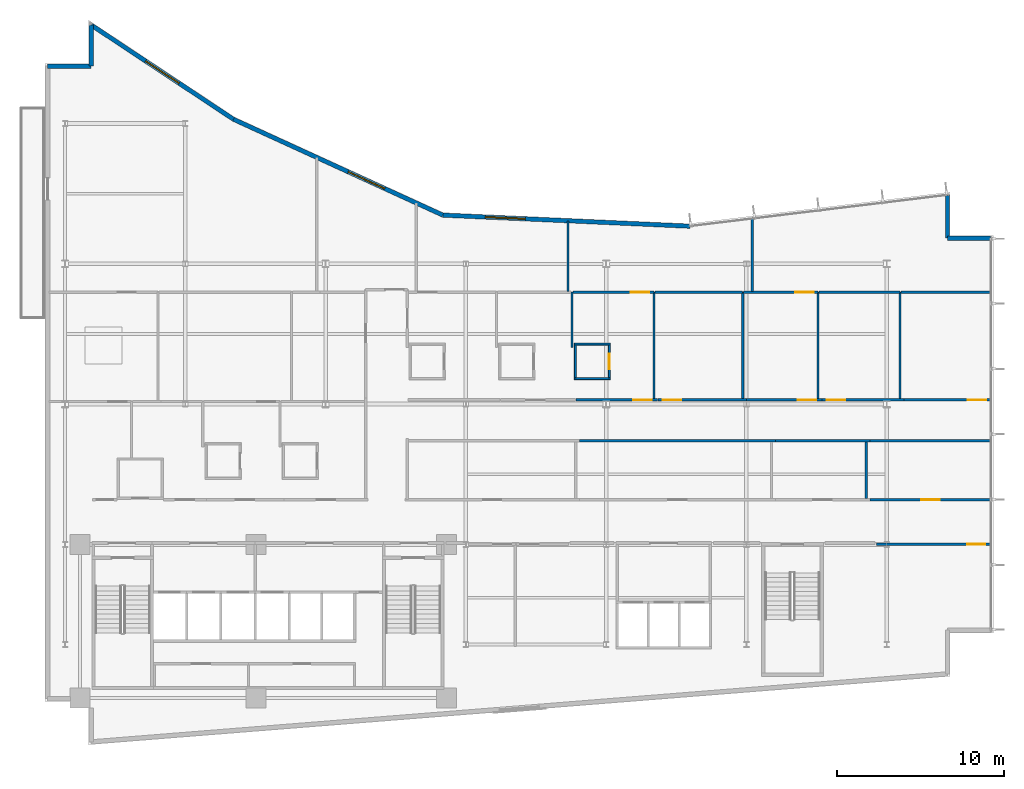
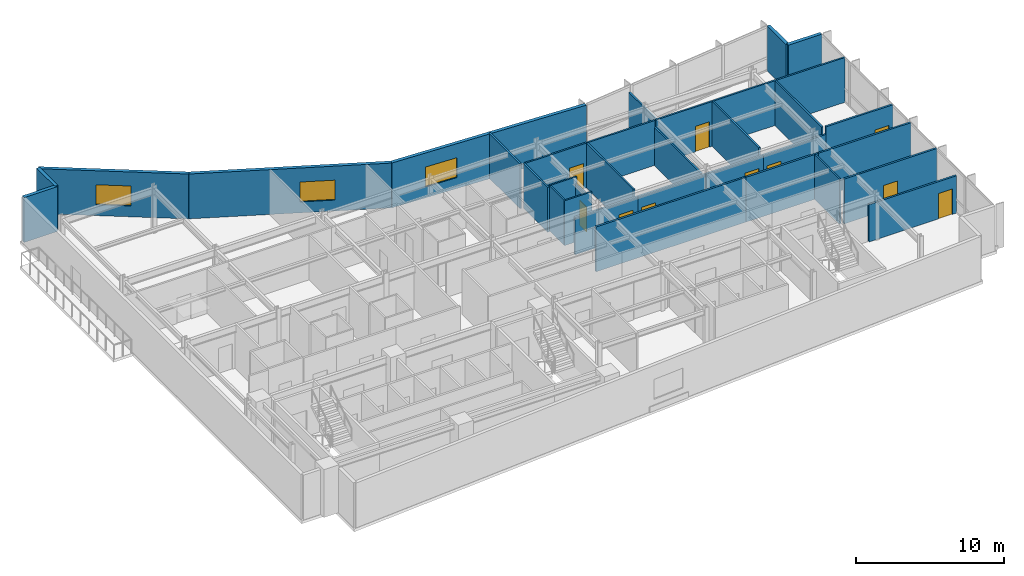
# One storey, part 13 of 19: 34 walls, 10 doors, 3 windows, 13 openings.
"""IFC4 building model written with IfcOpenShell, lengths in metres."""

from ifc_helpers import new_model, si_unit, direction, frame, frame_2d, origin, place, context, subcontext, project, spatial, rectangle, extrude, material, layer, layer_set, type_object, element, fill, save


model = new_model("IFC4")

# Units and contexts
model_context = context("Model", 3, precision=1e-05, world=origin(), true_north=direction((0.0, 1.0)))
body_context = subcontext(model_context, "Body", "Model", "MODEL_VIEW")
ifc_project = project(units=[si_unit("LENGTHUNIT", "METRE"), si_unit("AREAUNIT", "SQUARE_METRE"), si_unit("VOLUMEUNIT", "CUBIC_METRE"), si_unit("PLANEANGLEUNIT", "RADIAN"), si_unit("MASSUNIT", "GRAM", prefix="KILO")], contexts=[model_context])

# Site, building, storey
site_placement = place(None, origin())
site = spatial("IfcSite", under=ifc_project, at=site_placement, CompositionType="ELEMENT")
building_placement = place(site_placement, origin())
building = spatial("IfcBuilding", under=site, at=building_placement, Name="Varnakote Quay Hospital", CompositionType="ELEMENT")
storey_placement = place(building_placement, frame((0.0, 0.0, 162.60009765625)))
storey = spatial("IfcBuildingStorey", under=building, at=storey_placement, Name="L40", CompositionType="ELEMENT", Elevation=162.60009765625)

# Walls
ifc_material_1 = material(Name="Moisture-resistant bathroom partition", Category="gypsum")
ifc_layer_1 = layer(ifc_material_1, 0.114990234375)
ifc_layer_set_1 = layer_set([ifc_layer_1], Name="Moisture-resistant bathroom partition")
wall_type_1 = type_object("IfcWallType", Name="WL-ENS-115", PredefinedType="PARTITIONING", material=ifc_layer_set_1)
for number, where, z_axis, x_axis, name in (
    (1, (31.695068359375, 21.922607421875, 0.0), (0.0, 0.0, 1.0), (1.0, 0.0, 0.0), "L40 Inpatient En-Suite Bathroom 05 S Wall"),
    (2, (31.695068359375, 23.987548828125, 0.0), (0.0, 0.0, 1.0), (1.0, 0.0, 0.0), "L40 Inpatient En-Suite Bathroom 05 N Wall"),
):
    element("IfcWall", number, at=place(storey_placement, frame(where, z_axis=z_axis, x_axis=x_axis)), inside=storey, type_object=wall_type_1, Name=name, PredefinedType="PARTITIONING", context=body_context, shape_type="SweptSolid", body=[
        extrude(rectangle(XDim=2.14990234375, YDim=0.114990234375, at=frame_2d((1.074951171875, 0.0))), origin(), (0.0, 0.0, 1.0), 3.7099609375),
    ])
wall_1_placement = place(storey_placement, frame((31.75244140625, 21.97998046875, 0.0), z_axis=(0.0, 0.0, 1.0), x_axis=(0.0, 1.0, 0.0)))
element("IfcWall", 3, at=wall_1_placement, inside=storey, type_object=wall_type_1, Name="L40 Inpatient En-Suite Bathroom 05 W Wall", PredefinedType="PARTITIONING", context=body_context, shape_type="SweptSolid", body=[
    extrude(rectangle(XDim=1.949951171875, YDim=0.114990234375, at=frame_2d((0.97509765625, 0.0))), origin(), (0.0, 0.0, 1.0), 3.7099609375),
])

# Wall, opening, door
wall_2_placement = place(storey_placement, frame((33.78759765625, 21.97998046875, 0.0), z_axis=(0.0, 0.0, 1.0), x_axis=(0.0, 1.0, 0.0)))
wall_2 = element("IfcWall", 4, at=wall_2_placement, inside=storey, type_object=wall_type_1, Name="L40 Inpatient En-Suite Bathroom 05 E Wall", PredefinedType="PARTITIONING", context=body_context, shape_type="SweptSolid", body=[
    extrude(rectangle(XDim=1.949951171875, YDim=0.114990234375, at=frame_2d((0.97509765625, 0.0))), origin(), (0.0, 0.0, 1.0), 3.15185546875),
])
opening_1_placement = place(wall_2_placement, frame((0.514892578125, 0.0, 0.0)))
opening_1 = element("IfcOpeningElement", 5, at=opening_1_placement, cuts=wall_2, Name="Opening D-L40-ENS05", PredefinedType="OPENING", context=body_context, shape_type="SweptSolid", body=[
    extrude(rectangle(XDim=0.919921875, YDim=2.10009765625, at=frame_2d((0.4599609375, 1.050048828125))), frame((0.0, 0.0673828125, 0.0), z_axis=(0.0, -1.0, 0.0), x_axis=(1.0, 0.0, 0.0)), (0.0, 0.0, 1.0), 0.135009765625),
])
ifc_material_2 = material(Name="Moisture-sealed en-suite bathroom door")
door_type_1 = type_object("IfcDoorType", Name="DR-ENS-920x2100", OperationType="NOTDEFINED", PredefinedType="DOOR", material=ifc_material_2)
door_1_placement = place(opening_1_placement, origin())
door_1 = element("IfcDoor", 6, at=door_1_placement, inside=storey, type_object=door_type_1, Name="L40 Inpatient En-Suite Bathroom 05 Door", OperationType="SINGLE_SWING_LEFT", OverallHeight=2.10009765625, OverallWidth=0.919921875, PredefinedType="DOOR", context=body_context, shape_type="SweptSolid", body=[
    extrude(rectangle(XDim=0.919921875, YDim=2.10009765625, at=frame_2d((0.4599609375, 1.050048828125))), frame((0.0, 0.02490234375, 0.0), z_axis=(0.0, -1.0, 0.0), x_axis=(1.0, 0.0, 0.0)), (0.0, 0.0, 1.0), 0.050048828125),
])
fill(opening_1, door_1)

# Walls
ifc_material_3 = material(Name="Precast concrete N50 (f'c 50 MPa)", Category="concrete")
ifc_layer_2 = layer(ifc_material_3, 0.260009765625)
ifc_layer_set_2 = layer_set([ifc_layer_2], Name="Precast concrete N50 (f'c 50 MPa)")
wall_type_2 = type_object("IfcWallType", Name="WL-EXT-BRICK-260", PredefinedType="STANDARD", material=ifc_layer_set_2)
wall_3_placement = place(storey_placement, frame((56.639892578125, 30.340087890625, 0.0), z_axis=(0.0, 0.0, 1.0), x_axis=(-1.0, 0.0, 0.0)))
element("IfcWall", 7, at=wall_3_placement, inside=storey, type_object=wall_type_2, Name="L40 Brick-Faced Precast Exterior Wall", PredefinedType="STANDARD", context=body_context, shape_type="SweptSolid", body=[
    extrude(rectangle(XDim=2.599853515625, YDim=0.260009765625, at=frame_2d((1.2998046875, 0.0))), origin(), (0.0, 0.0, 1.0), 3.7099609375),
])
wall_4_placement = place(storey_placement, frame((54.0400390625, 30.340087890625, 0.0), z_axis=(0.0, 0.0, 1.0), x_axis=(0.0, 1.0, 0.0)))
element("IfcWall", 8, at=wall_4_placement, inside=storey, type_object=wall_type_2, Name="L40 Brick-Faced Precast Exterior Wall", PredefinedType="STANDARD", context=body_context, shape_type="SweptSolid", body=[
    extrude(rectangle(XDim=2.579345703125, YDim=0.260009765625, at=frame_2d((1.28955078125, 0.0))), origin(), (0.0, 0.0, 1.0), 3.7099609375),
])

# Wall, opening, window
wall_5_placement = place(storey_placement, frame((38.630126953125, 31.051513671875, 0.0), z_axis=(0.0, 0.0, 1.0), x_axis=(-0.998996592956, 0.044786239663, 0.0)))
wall_5 = element("IfcWall", 9, at=wall_5_placement, inside=storey, type_object=wall_type_2, Name="L40 Brick-Faced Precast Exterior Wall", PredefinedType="STANDARD", context=body_context, shape_type="SweptSolid", body=[
    extrude(rectangle(XDim=14.827392578125, YDim=0.260009765625, at=frame_2d((7.41357421875, 0.0))), origin(), (0.0, 0.0, 1.0), 3.7099609375),
])
opening_2_placement = place(wall_5_placement, frame((9.88232421875, 0.0, 0.89990234375)))
opening_2 = element("IfcOpeningElement", 10, at=opening_2_placement, cuts=wall_5, Name="Opening WN-0171", PredefinedType="OPENING", context=body_context, shape_type="SweptSolid", body=[
    extrude(rectangle(XDim=2.39990234375, YDim=1.64990234375, at=frame_2d((1.199951171875, 0.824951171875))), frame((0.0, 0.139892578125, 0.0), z_axis=(0.0, -1.0, 0.0), x_axis=(1.0, 0.0, 0.0)), (0.0, 0.0, 1.0), 0.280029296875),
])
ifc_material_4 = material(Name="Double-glazed low-E solar glass", Category="glass")
window_type = type_object("IfcWindowType", Name="WIN-CLIN-2400x1650", PartitioningType="SINGLE_PANEL", PredefinedType="WINDOW", material=ifc_material_4)
window_1_placement = place(opening_2_placement, origin())
window_1 = element("IfcWindow", 11, at=window_1_placement, inside=storey, type_object=window_type, Name="L40 Solar-Control Clinical Window", OverallHeight=1.64990234375, OverallWidth=2.39990234375, PartitioningType="SINGLE_PANEL", PredefinedType="WINDOW", context=body_context, shape_type="SweptSolid", body=[
    extrude(rectangle(XDim=2.39990234375, YDim=1.64990234375, at=frame_2d((1.199951171875, 0.824951171875))), frame((0.0, 0.030029296875, 0.0), z_axis=(0.0, -1.0, 0.0), x_axis=(1.0, 0.0, 0.0)), (0.0, 0.0, 1.0), 0.06005859375),
])
fill(opening_2, window_1)

wall_6_placement = place(storey_placement, frame((23.817626953125, 31.715576171875, 0.0), z_axis=(0.0, 0.0, 1.0), x_axis=(-0.909209527513, 0.416338846471, 0.0)))
wall_6 = element("IfcWall", 12, at=wall_6_placement, inside=storey, type_object=wall_type_2, Name="L40 Brick-Faced Precast Exterior Wall", PredefinedType="STANDARD", context=body_context, shape_type="SweptSolid", body=[
    extrude(rectangle(XDim=13.787353515625, YDim=0.260009765625, at=frame_2d((6.8935546875, 0.0))), origin(), (0.0, 0.0, 1.0), 3.7099609375),
])
opening_3_placement = place(wall_6_placement, frame((3.8291015625, 0.0, 0.89990234375)))
opening_3 = element("IfcOpeningElement", 13, at=opening_3_placement, cuts=wall_6, Name="Opening WN-0172", PredefinedType="OPENING", context=body_context, shape_type="SweptSolid", body=[
    extrude(rectangle(XDim=2.39990234375, YDim=1.64990234375, at=frame_2d((1.199951171875, 0.824951171875))), frame((0.0, 0.139892578125, 0.0), z_axis=(0.0, -1.0, 0.0), x_axis=(1.0, 0.0, 0.0)), (0.0, 0.0, 1.0), 0.280029296875),
])
window_2_placement = place(opening_3_placement, origin())
window_2 = element("IfcWindow", 14, at=window_2_placement, inside=storey, type_object=window_type, Name="L40 Solar-Control Clinical Window", OverallHeight=1.64990234375, OverallWidth=2.39990234375, PartitioningType="SINGLE_PANEL", PredefinedType="WINDOW", context=body_context, shape_type="SweptSolid", body=[
    extrude(rectangle(XDim=2.39990234375, YDim=1.64990234375, at=frame_2d((1.199951171875, 0.824951171875))), frame((0.0, 0.030029296875, 0.0), z_axis=(0.0, -1.0, 0.0), x_axis=(1.0, 0.0, 0.0)), (0.0, 0.0, 1.0), 0.06005859375),
])
fill(opening_3, window_2)

wall_7_placement = place(storey_placement, frame((11.281982421875, 37.455810546875, 0.0), z_axis=(0.0, 0.0, 1.0), x_axis=(-0.833630474253, 0.552322580017, 0.0)))
wall_7 = element("IfcWall", 15, at=wall_7_placement, inside=storey, type_object=wall_type_2, Name="L40 Brick-Faced Precast Exterior Wall", PredefinedType="STANDARD", context=body_context, shape_type="SweptSolid", body=[
    extrude(rectangle(XDim=10.22265625, YDim=0.260009765625, at=frame_2d((5.111328125, 0.0))), origin(), (0.0, 0.0, 1.0), 3.7099609375),
])
opening_4_placement = place(wall_7_placement, frame((3.911376953125, 0.0, 0.89990234375)))
opening_4 = element("IfcOpeningElement", 16, at=opening_4_placement, cuts=wall_7, Name="Opening WN-0173", PredefinedType="OPENING", context=body_context, shape_type="SweptSolid", body=[
    extrude(rectangle(XDim=2.39990234375, YDim=1.64990234375, at=frame_2d((1.199951171875, 0.824951171875))), frame((0.0, 0.139892578125, 0.0), z_axis=(0.0, -1.0, 0.0), x_axis=(1.0, 0.0, 0.0)), (0.0, 0.0, 1.0), 0.280029296875),
])
window_3_placement = place(opening_4_placement, origin())
window_3 = element("IfcWindow", 17, at=window_3_placement, inside=storey, type_object=window_type, Name="L40 Solar-Control Clinical Window", OverallHeight=1.64990234375, OverallWidth=2.39990234375, PartitioningType="SINGLE_PANEL", PredefinedType="WINDOW", context=body_context, shape_type="SweptSolid", body=[
    extrude(rectangle(XDim=2.39990234375, YDim=1.64990234375, at=frame_2d((1.199951171875, 0.824951171875))), frame((0.0, 0.030029296875, 0.0), z_axis=(0.0, -1.0, 0.0), x_axis=(1.0, 0.0, 0.0)), (0.0, 0.0, 1.0), 0.06005859375),
])
fill(opening_4, window_3)

# Walls
wall_8_placement = place(storey_placement, frame((2.760009765625, 43.10205078125, 0.0), z_axis=(0.0, 0.0, 1.0), x_axis=(0.0, -1.0, 0.0)))
element("IfcWall", 18, at=wall_8_placement, inside=storey, type_object=wall_type_2, Name="L40 Brick-Faced Precast Exterior Wall", PredefinedType="STANDARD", context=body_context, shape_type="SweptSolid", body=[
    extrude(rectangle(XDim=2.462158203125, YDim=0.260009765625, at=frame_2d((1.23095703125, 0.0))), origin(), (0.0, 0.0, 1.0), 3.7099609375),
])
wall_9_placement = place(storey_placement, frame((2.760009765625, 40.639892578125, 0.0), z_axis=(0.0, 0.0, 1.0), x_axis=(-1.0, 0.0, 0.0)))
element("IfcWall", 19, at=wall_9_placement, inside=storey, type_object=wall_type_2, Name="L40 Brick-Faced Precast Exterior Wall", PredefinedType="STANDARD", context=body_context, shape_type="SweptSolid", body=[
    extrude(rectangle(XDim=2.60009765625, YDim=0.260009765625, at=frame_2d((1.300048828125, 0.0))), origin(), (0.0, 0.0, 1.0), 3.7099609375),
])
ifc_material_5 = material(Name="Smoke-proof clinical partition", Category="gypsum")
ifc_layer_3 = layer(ifc_material_5, 0.135009765625)
ifc_layer_set_3 = layer_set([ifc_layer_3], Name="Smoke-proof clinical partition")
wall_type_3 = type_object("IfcWallType", Name="WL-SMOKE-135", PredefinedType="PARTITIONING", material=ifc_layer_set_3)
wall_10_placement = place(storey_placement, frame((49.169921875, 14.760009765625, 0.0), z_axis=(0.0, 0.0, 1.0), x_axis=(0.0, 1.0, 0.0)))
element("IfcWall", 20, at=wall_10_placement, inside=storey, type_object=wall_type_3, Name="L40 Clinical Interior Partition", PredefinedType="PARTITIONING", context=body_context, shape_type="SweptSolid", body=[
    extrude(rectangle(XDim=3.360107421875, YDim=0.135009765625, at=frame_2d((1.68017578125, 0.0))), origin(), (0.0, 0.0, 1.0), 3.7099609375),
])
wall_11_placement = place(storey_placement, frame((31.550048828125, 23.802490234375, 0.0), z_axis=(0.0, 0.0, 1.0), x_axis=(0.0, 1.0, 0.0)))
element("IfcWall", 21, at=wall_11_placement, inside=storey, type_object=wall_type_3, Name="L40 Clinical Interior Partition", PredefinedType="PARTITIONING", context=body_context, shape_type="SweptSolid", body=[
    extrude(rectangle(XDim=3.297607421875, YDim=0.135009765625, at=frame_2d((1.64892578125, 0.0))), origin(), (0.0, 0.0, 1.0), 3.7099609375),
])
wall_12_placement = place(storey_placement, frame((36.4599609375, 20.715087890625, 0.0), z_axis=(0.0, 0.0, 1.0), x_axis=(0.0, 1.0, 0.0)))
element("IfcWall", 22, at=wall_12_placement, inside=storey, type_object=wall_type_3, Name="L40 Clinical Interior Partition", PredefinedType="PARTITIONING", context=body_context, shape_type="SweptSolid", body=[
    extrude(rectangle(XDim=6.385009765625, YDim=0.135009765625, at=frame_2d((3.1923828125, 0.0))), origin(), (0.0, 0.0, 1.0), 3.7099609375),
])

# Wall, opening, door
wall_13_placement = place(storey_placement, frame((36.4599609375, 27.10009765625, 0.0), z_axis=(0.0, 0.0, 1.0), x_axis=(-1.0, 0.0, 0.0)))
wall_13 = element("IfcWall", 23, at=wall_13_placement, inside=storey, type_object=wall_type_3, Name="L40 Clinical Interior Partition", PredefinedType="PARTITIONING", context=body_context, shape_type="SweptSolid", body=[
    extrude(rectangle(XDim=4.8525390625, YDim=0.135009765625, at=frame_2d((2.42626953125, 0.0))), origin(), (0.0, 0.0, 1.0), 3.7099609375),
])
opening_5_placement = place(wall_13_placement, frame((0.28369140625, 0.0, 0.0)))
opening_5 = element("IfcOpeningElement", 24, at=opening_5_placement, cuts=wall_13, Name="Opening D-L40-MD16", PredefinedType="OPENING", context=body_context, shape_type="SweptSolid", body=[
    extrude(rectangle(XDim=1.10009765625, YDim=2.10009765625, at=frame_2d((0.550048828125, 1.050048828125))), frame((0.0, 0.077392578125, 0.0), z_axis=(0.0, -1.0, 0.0), x_axis=(1.0, 0.0, 0.0)), (0.0, 0.0, 1.0), 0.155029296875),
])
ifc_material_6 = material(Name="Acoustic timber clinical consult door", Category="wood")
door_type_2 = type_object("IfcDoorType", Name="DR-CLIN-FD30S-1100x2100", OperationType="NOTDEFINED", PredefinedType="DOOR", material=ifc_material_6)
door_2_placement = place(opening_5_placement, origin())
door_2 = element("IfcDoor", 25, at=door_2_placement, inside=storey, type_object=door_type_2, Name="L40 Clinical Educator Office Door", OperationType="SINGLE_SWING_RIGHT", OverallHeight=2.10009765625, OverallWidth=1.10009765625, PredefinedType="DOOR", context=body_context, shape_type="SweptSolid", body=[
    extrude(rectangle(XDim=1.10009765625, YDim=2.10009765625, at=frame_2d((0.550048828125, 1.050048828125))), frame((0.0, 0.02490234375, 0.0), z_axis=(0.0, -1.0, 0.0), x_axis=(1.0, 0.0, 0.0)), (0.0, 0.0, 1.0), 0.050048828125),
])
fill(opening_5, door_2)

# Walls
wall_14_placement = place(storey_placement, frame((41.77001953125, 20.715087890625, 0.0), z_axis=(0.0, 0.0, 1.0), x_axis=(0.0, 1.0, 0.0)))
element("IfcWall", 26, at=wall_14_placement, inside=storey, type_object=wall_type_3, Name="L40 Clinical Interior Partition", PredefinedType="PARTITIONING", context=body_context, shape_type="SweptSolid", body=[
    extrude(rectangle(XDim=6.385009765625, YDim=0.135009765625, at=frame_2d((3.1923828125, 0.0))), origin(), (0.0, 0.0, 1.0), 3.15185546875),
])
wall_15_placement = place(storey_placement, frame((41.77001953125, 27.10009765625, 0.0), z_axis=(0.0, 0.0, 1.0), x_axis=(-1.0, 0.0, 0.0)))
element("IfcWall", 27, at=wall_15_placement, inside=storey, type_object=wall_type_3, Name="L40 Clinical Interior Partition", PredefinedType="PARTITIONING", context=body_context, shape_type="SweptSolid", body=[
    extrude(rectangle(XDim=5.25244140625, YDim=0.135009765625, at=frame_2d((2.626220703125, 0.0))), origin(), (0.0, 0.0, 1.0), 3.7099609375),
])
wall_16_placement = place(storey_placement, frame((46.2900390625, 20.715087890625, 0.0), z_axis=(0.0, 0.0, 1.0), x_axis=(0.0, 1.0, 0.0)))
element("IfcWall", 28, at=wall_16_placement, inside=storey, type_object=wall_type_3, Name="L40 Clinical Interior Partition", PredefinedType="PARTITIONING", context=body_context, shape_type="SweptSolid", body=[
    extrude(rectangle(XDim=6.385009765625, YDim=0.135009765625, at=frame_2d((3.1923828125, 0.0))), origin(), (0.0, 0.0, 1.0), 3.7099609375),
])

# Wall, opening, door
wall_17_placement = place(storey_placement, frame((46.2900390625, 27.10009765625, 0.0), z_axis=(0.0, 0.0, 1.0), x_axis=(-1.0, 0.0, 0.0)))
wall_17 = element("IfcWall", 29, at=wall_17_placement, inside=storey, type_object=wall_type_3, Name="L40 Clinical Interior Partition", PredefinedType="PARTITIONING", context=body_context, shape_type="SweptSolid", body=[
    extrude(rectangle(XDim=4.462646484375, YDim=0.135009765625, at=frame_2d((2.2314453125, 0.0))), origin(), (0.0, 0.0, 1.0), 3.7099609375),
])
opening_6_placement = place(wall_17_placement, frame((0.274169921875, 0.0, 0.0)))
opening_6 = element("IfcOpeningElement", 30, at=opening_6_placement, cuts=wall_17, Name="Opening D-L40-MD17", PredefinedType="OPENING", context=body_context, shape_type="SweptSolid", body=[
    extrude(rectangle(XDim=1.10009765625, YDim=2.10009765625, at=frame_2d((0.550048828125, 1.050048828125))), frame((0.0, 0.077392578125, 0.0), z_axis=(0.0, -1.0, 0.0), x_axis=(1.0, 0.0, 0.0)), (0.0, 0.0, 1.0), 0.155029296875),
])
door_3_placement = place(opening_6_placement, origin())
door_3 = element("IfcDoor", 31, at=door_3_placement, inside=storey, type_object=door_type_2, Name="L40 Clinical Simulation Teaching Room Door", OperationType="SINGLE_SWING_LEFT", OverallHeight=2.10009765625, OverallWidth=1.10009765625, PredefinedType="DOOR", context=body_context, shape_type="SweptSolid", body=[
    extrude(rectangle(XDim=1.10009765625, YDim=2.10009765625, at=frame_2d((0.550048828125, 1.050048828125))), frame((0.0, 0.02490234375, 0.0), z_axis=(0.0, -1.0, 0.0), x_axis=(1.0, 0.0, 0.0)), (0.0, 0.0, 1.0), 0.050048828125),
])
fill(opening_6, door_3)

# Walls
wall_18_placement = place(storey_placement, frame((51.199951171875, 20.715087890625, 0.0), z_axis=(0.0, 0.0, 1.0), x_axis=(0.0, 1.0, 0.0)))
element("IfcWall", 32, at=wall_18_placement, inside=storey, type_object=wall_type_3, Name="L40 Clinical Interior Partition", PredefinedType="PARTITIONING", context=body_context, shape_type="SweptSolid", body=[
    extrude(rectangle(XDim=6.385009765625, YDim=0.135009765625, at=frame_2d((3.1923828125, 0.0))), origin(), (0.0, 0.0, 1.0), 3.7099609375),
])
wall_19_placement = place(storey_placement, frame((51.199951171875, 27.10009765625, 0.0), z_axis=(0.0, 0.0, 1.0), x_axis=(-1.0, 0.0, 0.0)))
element("IfcWall", 33, at=wall_19_placement, inside=storey, type_object=wall_type_3, Name="L40 Clinical Interior Partition", PredefinedType="PARTITIONING", context=body_context, shape_type="SweptSolid", body=[
    extrude(rectangle(XDim=4.8525390625, YDim=0.135009765625, at=frame_2d((2.42626953125, 0.0))), origin(), (0.0, 0.0, 1.0), 3.7099609375),
])
wall_20_placement = place(storey_placement, frame((56.639892578125, 27.10009765625, 0.0), z_axis=(0.0, 0.0, 1.0), x_axis=(-1.0, 0.0, 0.0)))
element("IfcWall", 34, at=wall_20_placement, inside=storey, type_object=wall_type_3, Name="L40 Clinical Interior Partition", PredefinedType="PARTITIONING", context=body_context, shape_type="SweptSolid", body=[
    extrude(rectangle(XDim=5.38232421875, YDim=0.135009765625, at=frame_2d((2.691162109375, 0.0))), origin(), (0.0, 0.0, 1.0), 3.7099609375),
])
wall_21_placement = place(storey_placement, frame((31.320068359375, 27.157470703125, 0.0), z_axis=(0.0, 0.0, 1.0), x_axis=(0.0, 1.0, 0.0)))
element("IfcWall", 35, at=wall_21_placement, inside=storey, type_object=wall_type_3, Name="L40 Clinical Interior Partition", PredefinedType="PARTITIONING", context=body_context, shape_type="SweptSolid", body=[
    extrude(rectangle(XDim=4.221923828125, YDim=0.135009765625, at=frame_2d((2.11083984375, 0.0))), origin(), (0.0, 0.0, 1.0), 3.7099609375),
])
wall_22_placement = place(storey_placement, frame((42.340087890625, 27.157470703125, 0.0), z_axis=(0.0, 0.0, 1.0), x_axis=(0.0, 1.0, 0.0)))
element("IfcWall", 36, at=wall_22_placement, inside=storey, type_object=wall_type_3, Name="L40 Clinical Interior Partition", PredefinedType="PARTITIONING", context=body_context, shape_type="SweptSolid", body=[
    extrude(rectangle(XDim=4.34375, YDim=0.135009765625, at=frame_2d((2.171875, 0.0))), origin(), (0.0, 0.0, 1.0), 3.15185546875),
])

# Wall, opening, door
ifc_material_7 = material(Name="Fire-rated clinical gypsum partition", Category="gypsum")
ifc_layer_4 = layer(ifc_material_7, 0.14990234375)
ifc_layer_set_4 = layer_set([ifc_layer_4], Name="Fire-rated clinical gypsum partition")
wall_type_4 = type_object("IfcWallType", Name="WL-WARD-150", PredefinedType="PARTITIONING", material=ifc_layer_set_4)
wall_23_placement = place(storey_placement, frame((56.639892578125, 12.0, 0.0), z_axis=(0.0, 0.0, 1.0), x_axis=(-1.0, 0.0, 0.0)))
wall_23 = element("IfcWall", 37, at=wall_23_placement, inside=storey, type_object=wall_type_4, Name="L40 Clinical Interior Partition", PredefinedType="PARTITIONING", context=body_context, shape_type="SweptSolid", body=[
    extrude(rectangle(XDim=6.83984375, YDim=0.14990234375, at=frame_2d((3.419921875, 0.0))), origin(), (0.0, 0.0, 1.0), 3.0830078125),
])
opening_7_placement = place(wall_23_placement, frame((0.33349609375, 0.0, 0.0)))
opening_7 = element("IfcOpeningElement", 38, at=opening_7_placement, cuts=wall_23, Name="Opening D-L40-SE1", PredefinedType="OPENING", context=body_context, shape_type="SweptSolid", body=[
    extrude(rectangle(XDim=1.10009765625, YDim=2.10009765625, at=frame_2d((0.550048828125, 1.050048828125))), frame((0.0, 0.0849609375, 0.0), z_axis=(0.0, -1.0, 0.0), x_axis=(1.0, 0.0, 0.0)), (0.0, 0.0, 1.0), 0.169921875),
])
door_4_placement = place(opening_7_placement, origin())
door_4 = element("IfcDoor", 39, at=door_4_placement, inside=storey, type_object=door_type_2, Name="L40 Clinical Biomedical Engineering Office Door", OperationType="SINGLE_SWING_RIGHT", OverallHeight=2.10009765625, OverallWidth=1.10009765625, PredefinedType="DOOR", context=body_context, shape_type="SweptSolid", body=[
    extrude(rectangle(XDim=1.10009765625, YDim=2.10009765625, at=frame_2d((0.550048828125, 1.050048828125))), frame((0.0, 0.02490234375, 0.0), z_axis=(0.0, -1.0, 0.0), x_axis=(1.0, 0.0, 0.0)), (0.0, 0.0, 1.0), 0.050048828125),
])
fill(opening_7, door_4)

wall_24_placement = place(storey_placement, frame((56.639892578125, 14.679931640625, 0.0), z_axis=(0.0, 0.0, 1.0), x_axis=(-1.0, 0.0, 0.0)))
wall_24 = element("IfcWall", 40, at=wall_24_placement, inside=storey, type_object=wall_type_4, Name="L40 Clinical Interior Partition", PredefinedType="PARTITIONING", context=body_context, shape_type="SweptSolid", body=[
    extrude(rectangle(XDim=7.241943359375, YDim=0.14990234375, at=frame_2d((3.62109375, 0.0))), origin(), (0.0, 0.0, 1.0), 3.7099609375),
])
opening_8_placement = place(wall_24_placement, frame((3.071044921875, 0.0, 0.0)))
opening_8 = element("IfcOpeningElement", 41, at=opening_8_placement, cuts=wall_24, Name="Opening D-L40-MD06", PredefinedType="OPENING", context=body_context, shape_type="SweptSolid", body=[
    extrude(rectangle(XDim=1.10009765625, YDim=2.10009765625, at=frame_2d((0.550048828125, 1.050048828125))), frame((0.0, 0.0849609375, 0.0), z_axis=(0.0, -1.0, 0.0), x_axis=(1.0, 0.0, 0.0)), (0.0, 0.0, 1.0), 0.169921875),
])
door_5_placement = place(opening_8_placement, origin())
door_5 = element("IfcDoor", 42, at=door_5_placement, inside=storey, type_object=door_type_2, Name="L40 Allied Health Teaching Laboratory Door", OperationType="SINGLE_SWING_RIGHT", OverallHeight=2.10009765625, OverallWidth=1.10009765625, PredefinedType="DOOR", context=body_context, shape_type="SweptSolid", body=[
    extrude(rectangle(XDim=1.10009765625, YDim=2.10009765625, at=frame_2d((0.550048828125, 1.050048828125))), frame((0.0, 0.02490234375, 0.0), z_axis=(0.0, -1.0, 0.0), x_axis=(1.0, 0.0, 0.0)), (0.0, 0.0, 1.0), 0.050048828125),
])
fill(opening_8, door_5)

# Walls
wall_25_placement = place(storey_placement, frame((32.008056640625, 18.199951171875, 0.0), z_axis=(0.0, 0.0, 1.0), x_axis=(1.0, 0.0, 0.0)))
element("IfcWall", 43, at=wall_25_placement, inside=storey, type_object=wall_type_4, Name="L40 Clinical Interior Partition", PredefinedType="PARTITIONING", context=body_context, shape_type="SweptSolid", body=[
    extrude(rectangle(XDim=11.718017578125, YDim=0.14990234375, at=frame_2d((5.85888671875, 0.0))), origin(), (0.0, 0.0, 1.0), 3.7099609375),
])
wall_26_placement = place(storey_placement, frame((43.72802734375, 18.199951171875, 0.0), z_axis=(0.0, 0.0, 1.0), x_axis=(1.0, 0.0, 0.0)))
element("IfcWall", 44, at=wall_26_placement, inside=storey, type_object=wall_type_4, Name="L40 Clinical Interior Partition", PredefinedType="PARTITIONING", context=body_context, shape_type="SweptSolid", body=[
    extrude(rectangle(XDim=5.66796875, YDim=0.14990234375, at=frame_2d((2.833984375, 0.0))), origin(), (0.0, 0.0, 1.0), 3.7099609375),
])
wall_27_placement = place(storey_placement, frame((49.39794921875, 18.199951171875, 0.0), z_axis=(0.0, 0.0, 1.0), x_axis=(1.0, 0.0, 0.0)))
element("IfcWall", 45, at=wall_27_placement, inside=storey, type_object=wall_type_4, Name="L40 Clinical Interior Partition", PredefinedType="PARTITIONING", context=body_context, shape_type="SweptSolid", body=[
    extrude(rectangle(XDim=7.241943359375, YDim=0.14990234375, at=frame_2d((3.62109375, 0.0))), origin(), (0.0, 0.0, 1.0), 3.7099609375),
])

# Wall, opening, door
wall_28_placement = place(storey_placement, frame((36.68603515625, 20.64990234375, 0.0), z_axis=(0.0, 0.0, 1.0), x_axis=(-1.0, 0.0, 0.0)))
wall_28 = element("IfcWall", 46, at=wall_28_placement, inside=storey, type_object=wall_type_4, Name="L40 Clinical Interior Partition", PredefinedType="PARTITIONING", context=body_context, shape_type="SweptSolid", body=[
    extrude(rectangle(XDim=4.907958984375, YDim=0.14990234375, at=frame_2d((2.4541015625, 0.0))), origin(), (0.0, 0.0, 1.0), 3.0830078125),
])
opening_9_placement = place(wall_28_placement, frame((0.370361328125, 0.0, 0.0)))
opening_9 = element("IfcOpeningElement", 47, at=opening_9_placement, cuts=wall_28, Name="Opening D-L40-BR05", PredefinedType="OPENING", context=body_context, shape_type="SweptSolid", body=[
    extrude(rectangle(XDim=1.10009765625, YDim=2.10009765625, at=frame_2d((0.550048828125, 1.050048828125))), frame((0.0, 0.0849609375, 0.0), z_axis=(0.0, -1.0, 0.0), x_axis=(1.0, 0.0, 0.0)), (0.0, 0.0, 1.0), 0.169921875),
])
door_6_placement = place(opening_9_placement, origin())
door_6 = element("IfcDoor", 48, at=door_6_placement, inside=storey, type_object=door_type_2, Name="L40 Inpatient Clinical Treatment Room 05 Door", OperationType="SINGLE_SWING_LEFT", OverallHeight=2.10009765625, OverallWidth=1.10009765625, PredefinedType="DOOR", context=body_context, shape_type="SweptSolid", body=[
    extrude(rectangle(XDim=1.10009765625, YDim=2.10009765625, at=frame_2d((0.550048828125, 1.050048828125))), frame((0.0, 0.02490234375, 0.0), z_axis=(0.0, -1.0, 0.0), x_axis=(1.0, 0.0, 0.0)), (0.0, 0.0, 1.0), 0.050048828125),
])
fill(opening_9, door_6)

wall_29_placement = place(storey_placement, frame((41.99609375, 20.64990234375, 0.0), z_axis=(0.0, 0.0, 1.0), x_axis=(-1.0, 0.0, 0.0)))
wall_29 = element("IfcWall", 49, at=wall_29_placement, inside=storey, type_object=wall_type_4, Name="L40 Clinical Interior Partition", PredefinedType="PARTITIONING", context=body_context, shape_type="SweptSolid", body=[
    extrude(rectangle(XDim=5.30810546875, YDim=0.14990234375, at=frame_2d((2.654052734375, 0.0))), origin(), (0.0, 0.0, 1.0), 3.0830078125),
])
opening_10_placement = place(wall_29_placement, frame((3.912841796875, 0.0, 0.0)))
opening_10 = element("IfcOpeningElement", 50, at=opening_10_placement, cuts=wall_29, Name="Opening D-L40-MD09", PredefinedType="OPENING", context=body_context, shape_type="SweptSolid", body=[
    extrude(rectangle(XDim=1.10009765625, YDim=2.10009765625, at=frame_2d((0.550048828125, 1.050048828125))), frame((0.0, 0.0849609375, 0.0), z_axis=(0.0, -1.0, 0.0), x_axis=(1.0, 0.0, 0.0)), (0.0, 0.0, 1.0), 0.169921875),
])
door_7_placement = place(opening_10_placement, origin())
door_7 = element("IfcDoor", 51, at=door_7_placement, inside=storey, type_object=door_type_2, Name="L40 Clinical Simulation Teaching Room Door", OperationType="SINGLE_SWING_RIGHT", OverallHeight=2.10009765625, OverallWidth=1.10009765625, PredefinedType="DOOR", context=body_context, shape_type="SweptSolid", body=[
    extrude(rectangle(XDim=1.10009765625, YDim=2.10009765625, at=frame_2d((0.550048828125, 1.050048828125))), frame((0.0, 0.02490234375, 0.0), z_axis=(0.0, -1.0, 0.0), x_axis=(1.0, 0.0, 0.0)), (0.0, 0.0, 1.0), 0.050048828125),
])
fill(opening_10, door_7)

wall_30_placement = place(storey_placement, frame((46.51611328125, 20.64990234375, 0.0), z_axis=(0.0, 0.0, 1.0), x_axis=(-1.0, 0.0, 0.0)))
wall_30 = element("IfcWall", 52, at=wall_30_placement, inside=storey, type_object=wall_type_4, Name="L40 Clinical Interior Partition", PredefinedType="PARTITIONING", context=body_context, shape_type="SweptSolid", body=[
    extrude(rectangle(XDim=4.51806640625, YDim=0.14990234375, at=frame_2d((2.259033203125, 0.0))), origin(), (0.0, 0.0, 1.0), 3.0830078125),
])
opening_11_placement = place(wall_30_placement, frame((0.350830078125, 0.0, 0.0)))
opening_11 = element("IfcOpeningElement", 53, at=opening_11_placement, cuts=wall_30, Name="Opening D-L40-MD10", PredefinedType="OPENING", context=body_context, shape_type="SweptSolid", body=[
    extrude(rectangle(XDim=1.10009765625, YDim=2.10009765625, at=frame_2d((0.550048828125, 1.050048828125))), frame((0.0, 0.0849609375, 0.0), z_axis=(0.0, -1.0, 0.0), x_axis=(1.0, 0.0, 0.0)), (0.0, 0.0, 1.0), 0.169921875),
])
door_8_placement = place(opening_11_placement, origin())
door_8 = element("IfcDoor", 54, at=door_8_placement, inside=storey, type_object=door_type_2, Name="L40 Allied Health Teaching Laboratory Door", OperationType="SINGLE_SWING_LEFT", OverallHeight=2.10009765625, OverallWidth=1.10009765625, PredefinedType="DOOR", context=body_context, shape_type="SweptSolid", body=[
    extrude(rectangle(XDim=1.10009765625, YDim=2.10009765625, at=frame_2d((0.550048828125, 1.050048828125))), frame((0.0, 0.02490234375, 0.0), z_axis=(0.0, -1.0, 0.0), x_axis=(1.0, 0.0, 0.0)), (0.0, 0.0, 1.0), 0.050048828125),
])
fill(opening_11, door_8)

wall_31_placement = place(storey_placement, frame((51.426025390625, 20.64990234375, 0.0), z_axis=(0.0, 0.0, 1.0), x_axis=(-1.0, 0.0, 0.0)))
wall_31 = element("IfcWall", 55, at=wall_31_placement, inside=storey, type_object=wall_type_4, Name="L40 Clinical Interior Partition", PredefinedType="PARTITIONING", context=body_context, shape_type="SweptSolid", body=[
    extrude(rectangle(XDim=4.907958984375, YDim=0.14990234375, at=frame_2d((2.4541015625, 0.0))), origin(), (0.0, 0.0, 1.0), 3.0830078125),
])
opening_12_placement = place(wall_31_placement, frame((3.522705078125, 0.0, 0.0)))
opening_12 = element("IfcOpeningElement", 56, at=opening_12_placement, cuts=wall_31, Name="Opening D-L40-MD11", PredefinedType="OPENING", context=body_context, shape_type="SweptSolid", body=[
    extrude(rectangle(XDim=1.10009765625, YDim=2.10009765625, at=frame_2d((0.550048828125, 1.050048828125))), frame((0.0, 0.0849609375, 0.0), z_axis=(0.0, -1.0, 0.0), x_axis=(1.0, 0.0, 0.0)), (0.0, 0.0, 1.0), 0.169921875),
])
door_9_placement = place(opening_12_placement, origin())
door_9 = element("IfcDoor", 57, at=door_9_placement, inside=storey, type_object=door_type_2, Name="L40 Specialist Handover Meeting Room Door", OperationType="SINGLE_SWING_RIGHT", OverallHeight=2.10009765625, OverallWidth=1.10009765625, PredefinedType="DOOR", context=body_context, shape_type="SweptSolid", body=[
    extrude(rectangle(XDim=1.10009765625, YDim=2.10009765625, at=frame_2d((0.550048828125, 1.050048828125))), frame((0.0, 0.02490234375, 0.0), z_axis=(0.0, -1.0, 0.0), x_axis=(1.0, 0.0, 0.0)), (0.0, 0.0, 1.0), 0.050048828125),
])
fill(opening_12, door_9)

wall_32_placement = place(storey_placement, frame((56.639892578125, 20.64990234375, 0.0), z_axis=(0.0, 0.0, 1.0), x_axis=(-1.0, 0.0, 0.0)))
wall_32 = element("IfcWall", 58, at=wall_32_placement, inside=storey, type_object=wall_type_4, Name="L40 Clinical Interior Partition", PredefinedType="PARTITIONING", context=body_context, shape_type="SweptSolid", body=[
    extrude(rectangle(XDim=5.2119140625, YDim=0.14990234375, at=frame_2d((2.60595703125, 0.0))), origin(), (0.0, 0.0, 1.0), 3.7099609375),
])
opening_13_placement = place(wall_32_placement, frame((0.292724609375, 0.0, 0.0)))
opening_13 = element("IfcOpeningElement", 59, at=opening_13_placement, cuts=wall_32, Name="Opening D-L40-MD12", PredefinedType="OPENING", context=body_context, shape_type="SweptSolid", body=[
    extrude(rectangle(XDim=1.10009765625, YDim=2.10009765625, at=frame_2d((0.550048828125, 1.050048828125))), frame((0.0, 0.0849609375, 0.0), z_axis=(0.0, -1.0, 0.0), x_axis=(1.0, 0.0, 0.0)), (0.0, 0.0, 1.0), 0.169921875),
])
door_10_placement = place(opening_13_placement, origin())
door_10 = element("IfcDoor", 60, at=door_10_placement, inside=storey, type_object=door_type_2, Name="L40 Clinical Educator Office Door", OperationType="SINGLE_SWING_LEFT", OverallHeight=2.10009765625, OverallWidth=1.10009765625, PredefinedType="DOOR", context=body_context, shape_type="SweptSolid", body=[
    extrude(rectangle(XDim=1.10009765625, YDim=2.10009765625, at=frame_2d((0.550048828125, 1.050048828125))), frame((0.0, 0.02490234375, 0.0), z_axis=(0.0, -1.0, 0.0), x_axis=(1.0, 0.0, 0.0)), (0.0, 0.0, 1.0), 0.050048828125),
])
fill(opening_13, door_10)

save(model, "model.ifc")
